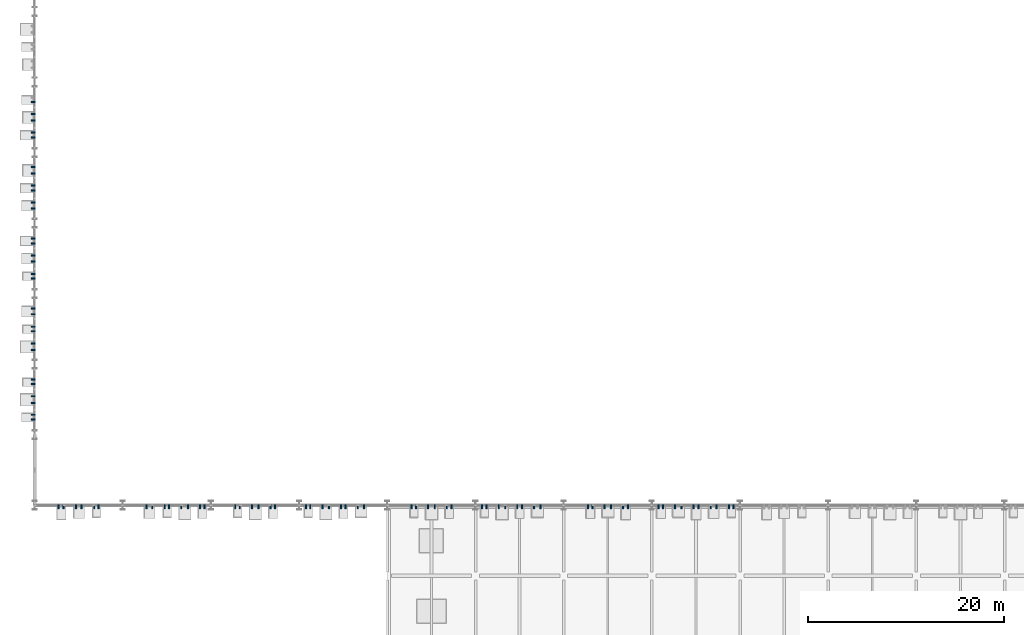
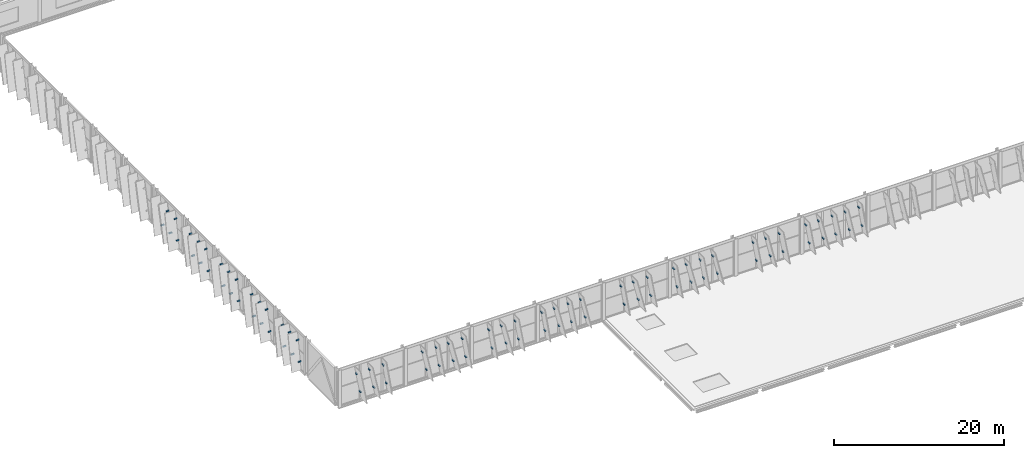
# One storey, part 147 of 189: 87 discrete accessories.
"""IFC4 building model written with IfcOpenShell, lengths in metres."""

from ifc_helpers import new_model, si_unit, direction, frame, origin, origin_2d, place, context, subcontext, project, spatial, rectangle, extrude, material, type_object, element, save


model = new_model("IFC4")

# Units and contexts
model_context = context("Model", 3, precision=1e-05, world=origin(), true_north=direction((0.0, 1.0)))
body_context = subcontext(model_context, "Body", "Model", "MODEL_VIEW")
ifc_project = project(units=[si_unit("LENGTHUNIT", "METRE"), si_unit("AREAUNIT", "SQUARE_METRE"), si_unit("VOLUMEUNIT", "CUBIC_METRE"), si_unit("PLANEANGLEUNIT", "RADIAN"), si_unit("MASSUNIT", "GRAM", prefix="KILO")], contexts=[model_context])

# Site, building, storey
site_placement = place(None, origin())
site = spatial("IfcSite", under=ifc_project, at=site_placement, CompositionType="ELEMENT")
building_placement = place(site_placement, origin())
building = spatial("IfcBuilding", under=site, at=building_placement, Name="Celestram Park Convention Centre", CompositionType="ELEMENT")
storey_placement = place(building_placement, frame((0.0, 0.0, 5.39990234375)))
storey = spatial("IfcBuildingStorey", under=building, at=storey_placement, Name="L01", CompositionType="ELEMENT", Elevation=5.39990234375)

# Discrete accessories
ifc_material = material(Name="Steel ASTM A500 Grade C", Category="steel")
discrete_accessory_type = type_object("IfcDiscreteAccessoryType", Name="ARC-BRK-OUT400", PredefinedType="BRACKET", material=ifc_material)
for number, where, z_axis, x_axis, name in (
    (1, (-0.14990234375, 30.357421875, 1.07568359375), (0.0, 0.0, 1.0), (-1.0, 0.0, 0.0), "Solar fin outrigger bracket BK-L01-0695"),
    (2, (-0.14990234375, 30.842529296875, 3.884765625), (0.0, 0.0, 1.0), (-1.0, 0.0, 0.0), "Solar fin outrigger bracket BK-L01-0696"),
    (3, (-0.14990234375, 32.06005859375, 1.09619140625), (0.0, 0.0, 1.0), (-1.0, 0.0, 0.0), "Solar fin outrigger bracket BK-L01-0697"),
    (4, (-0.14990234375, 32.739990234375, 3.8642578125), (0.0, 0.0, 1.0), (-1.0, 0.0, 0.0), "Solar fin outrigger bracket BK-L01-0698"),
    (5, (-0.14990234375, 33.97216796875, 1.0732421875), (0.0, 0.0, 1.0), (-1.0, 0.0, 0.0), "Solar fin outrigger bracket BK-L01-0699"),
    (6, (-0.14990234375, 34.427978515625, 3.88720703125), (0.0, 0.0, 1.0), (-1.0, 0.0, 0.0), "Solar fin outrigger bracket BK-L01-0700"),
    (7, (-0.14990234375, 37.4599609375, 1.09619140625), (0.0, 0.0, 1.0), (-1.0, 0.0, 0.0), "Solar fin outrigger bracket BK-L01-0701"),
    (8, (-0.14990234375, 38.139892578125, 3.8642578125), (0.0, 0.0, 1.0), (-1.0, 0.0, 0.0), "Solar fin outrigger bracket BK-L01-0702"),
    (9, (-0.14990234375, 39.3720703125, 1.0732421875), (0.0, 0.0, 1.0), (-1.0, 0.0, 0.0), "Solar fin outrigger bracket BK-L01-0703"),
    (10, (-0.14990234375, 39.827880859375, 3.88720703125), (0.0, 0.0, 1.0), (-1.0, 0.0, 0.0), "Solar fin outrigger bracket BK-L01-0704"),
    (11, (-0.14990234375, 41.101318359375, 1.08642578125), (0.0, 0.0, 1.0), (-1.0, 0.0, 0.0), "Solar fin outrigger bracket BK-L01-0705"),
    (12, (-0.14990234375, 41.69873046875, 3.87353515625), (0.0, 0.0, 1.0), (-1.0, 0.0, 0.0), "Solar fin outrigger bracket BK-L01-0706"),
    (13, (-0.14990234375, 44.772216796875, 1.0732421875), (0.0, 0.0, 1.0), (-1.0, 0.0, 0.0), "Solar fin outrigger bracket BK-L01-0707"),
    (14, (-0.14990234375, 45.227783203125, 3.88720703125), (0.0, 0.0, 1.0), (-1.0, 0.0, 0.0), "Solar fin outrigger bracket BK-L01-0708"),
    (15, (-0.14990234375, 46.501220703125, 1.08642578125), (0.0, 0.0, 1.0), (-1.0, 0.0, 0.0), "Solar fin outrigger bracket BK-L01-0709"),
    (16, (-0.14990234375, 47.0986328125, 3.87353515625), (0.0, 0.0, 1.0), (-1.0, 0.0, 0.0), "Solar fin outrigger bracket BK-L01-0710"),
    (17, (-0.14990234375, 48.3427734375, 1.078125), (0.0, 0.0, 1.0), (-1.0, 0.0, 0.0), "Solar fin outrigger bracket BK-L01-0711"),
    (18, (-0.14990234375, 48.857421875, 3.8818359375), (0.0, 0.0, 1.0), (-1.0, 0.0, 0.0), "Solar fin outrigger bracket BK-L01-0712"),
    (19, (-0.14990234375, 51.9013671875, 1.08642578125), (0.0, 0.0, 1.0), (-1.0, 0.0, 0.0), "Solar fin outrigger bracket BK-L01-0713"),
    (20, (-0.14990234375, 52.498779296875, 3.87353515625), (0.0, 0.0, 1.0), (-1.0, 0.0, 0.0), "Solar fin outrigger bracket BK-L01-0714"),
    (21, (-0.14990234375, 53.74267578125, 1.078125), (0.0, 0.0, 1.0), (-1.0, 0.0, 0.0), "Solar fin outrigger bracket BK-L01-0715"),
    (22, (-0.14990234375, 54.25732421875, 3.8818359375), (0.0, 0.0, 1.0), (-1.0, 0.0, 0.0), "Solar fin outrigger bracket BK-L01-0716"),
    (23, (-0.14990234375, 55.4697265625, 1.09375), (0.0, 0.0, 1.0), (-1.0, 0.0, 0.0), "Solar fin outrigger bracket BK-L01-0717"),
    (24, (-0.14990234375, 56.13037109375, 3.86669921875), (0.0, 0.0, 1.0), (-1.0, 0.0, 0.0), "Solar fin outrigger bracket BK-L01-0718"),
    (25, (-0.14990234375, 59.142578125, 1.078125), (0.0, 0.0, 1.0), (-1.0, 0.0, 0.0), "Solar fin outrigger bracket BK-L01-0719"),
    (26, (-0.14990234375, 59.6572265625, 3.8818359375), (0.0, 0.0, 1.0), (-1.0, 0.0, 0.0), "Solar fin outrigger bracket BK-L01-0720"),
    (27, (-0.14990234375, 60.86962890625, 1.09375), (0.0, 0.0, 1.0), (-1.0, 0.0, 0.0), "Solar fin outrigger bracket BK-L01-0721"),
    (28, (-0.14990234375, 61.5302734375, 3.86669921875), (0.0, 0.0, 1.0), (-1.0, 0.0, 0.0), "Solar fin outrigger bracket BK-L01-0722"),
    (29, (-0.14990234375, 62.75732421875, 1.07568359375), (0.0, 0.0, 1.0), (-1.0, 0.0, 0.0), "Solar fin outrigger bracket BK-L01-0723"),
    (30, (33.62548828125, 21.449951171875, 1.0771484375), (0.0, 0.0, 1.0), (0.0, -1.0, 0.0), "Solar fin outrigger bracket BK-L01-0755"),
    (31, (32.974365234375, 21.449951171875, 3.81005859375), (0.0, 0.0, 1.0), (0.0, -1.0, 0.0), "Solar fin outrigger bracket BK-L01-0756"),
    (32, (31.739013671875, 21.449951171875, 1.0595703125), (0.0, 0.0, 1.0), (0.0, -1.0, 0.0), "Solar fin outrigger bracket BK-L01-0757"),
    (33, (31.260986328125, 21.449951171875, 3.828125), (0.0, 0.0, 1.0), (0.0, -1.0, 0.0), "Solar fin outrigger bracket BK-L01-0758"),
    (34, (30.03515625, 21.449951171875, 1.07958984375), (0.0, 0.0, 1.0), (0.0, -1.0, 0.0), "Solar fin outrigger bracket BK-L01-0759"),
    (35, (29.364990234375, 21.449951171875, 3.8076171875), (0.0, 0.0, 1.0), (0.0, -1.0, 0.0), "Solar fin outrigger bracket BK-L01-0760"),
    (36, (28.12451171875, 21.449951171875, 1.05712890625), (0.0, 0.0, 1.0), (0.0, -1.0, 0.0), "Solar fin outrigger bracket BK-L01-0761"),
    (37, (27.67529296875, 21.449951171875, 3.83056640625), (0.0, 0.0, 1.0), (0.0, -1.0, 0.0), "Solar fin outrigger bracket BK-L01-0762"),
    (38, (24.5390625, 21.449951171875, 1.0595703125), (0.0, 0.0, 1.0), (0.0, -1.0, 0.0), "Solar fin outrigger bracket BK-L01-0763"),
    (39, (24.060791015625, 21.449951171875, 3.828125), (0.0, 0.0, 1.0), (0.0, -1.0, 0.0), "Solar fin outrigger bracket BK-L01-0764"),
    (40, (22.835205078125, 21.449951171875, 1.07958984375), (0.0, 0.0, 1.0), (0.0, -1.0, 0.0), "Solar fin outrigger bracket BK-L01-0765"),
    (41, (22.164794921875, 21.449951171875, 3.8076171875), (0.0, 0.0, 1.0), (0.0, -1.0, 0.0), "Solar fin outrigger bracket BK-L01-0766"),
    (42, (20.924560546875, 21.449951171875, 1.05712890625), (0.0, 0.0, 1.0), (0.0, -1.0, 0.0), "Solar fin outrigger bracket BK-L01-0767"),
    (43, (20.475341796875, 21.449951171875, 3.83056640625), (0.0, 0.0, 1.0), (0.0, -1.0, 0.0), "Solar fin outrigger bracket BK-L01-0768"),
    (44, (17.339111328125, 21.449951171875, 1.0595703125), (0.0, 0.0, 1.0), (0.0, -1.0, 0.0), "Solar fin outrigger bracket BK-L01-0769"),
    (45, (16.86083984375, 21.449951171875, 3.828125), (0.0, 0.0, 1.0), (0.0, -1.0, 0.0), "Solar fin outrigger bracket BK-L01-0770"),
    (46, (15.635009765625, 21.449951171875, 1.07958984375), (0.0, 0.0, 1.0), (0.0, -1.0, 0.0), "Solar fin outrigger bracket BK-L01-0771"),
    (47, (14.96484375, 21.449951171875, 3.8076171875), (0.0, 0.0, 1.0), (0.0, -1.0, 0.0), "Solar fin outrigger bracket BK-L01-0772"),
    (48, (13.724609375, 21.449951171875, 1.05712890625), (0.0, 0.0, 1.0), (0.0, -1.0, 0.0), "Solar fin outrigger bracket BK-L01-0773"),
    (49, (13.275390625, 21.449951171875, 3.83056640625), (0.0, 0.0, 1.0), (0.0, -1.0, 0.0), "Solar fin outrigger bracket BK-L01-0774"),
    (50, (11.994384765625, 21.449951171875, 1.06982421875), (0.0, 0.0, 1.0), (0.0, -1.0, 0.0), "Solar fin outrigger bracket BK-L01-0775"),
    (51, (11.405517578125, 21.449951171875, 3.8173828125), (0.0, 0.0, 1.0), (0.0, -1.0, 0.0), "Solar fin outrigger bracket BK-L01-0776"),
    (52, (6.524658203125, 21.449951171875, 1.05712890625), (0.0, 0.0, 1.0), (0.0, -1.0, 0.0), "Solar fin outrigger bracket BK-L01-0777"),
    (53, (6.075439453125, 21.449951171875, 3.83056640625), (0.0, 0.0, 1.0), (0.0, -1.0, 0.0), "Solar fin outrigger bracket BK-L01-0778"),
    (54, (4.79443359375, 21.449951171875, 1.06982421875), (0.0, 0.0, 1.0), (0.0, -1.0, 0.0), "Solar fin outrigger bracket BK-L01-0779"),
    (55, (4.20556640625, 21.449951171875, 3.8173828125), (0.0, 0.0, 1.0), (0.0, -1.0, 0.0), "Solar fin outrigger bracket BK-L01-0780"),
    (56, (2.95361328125, 21.449951171875, 1.06201171875), (0.0, 0.0, 1.0), (0.0, -1.0, 0.0), "Solar fin outrigger bracket BK-L01-0781"),
    (57, (2.4462890625, 21.449951171875, 3.8251953125), (0.0, 0.0, 1.0), (0.0, -1.0, 0.0), "Solar fin outrigger bracket BK-L01-0782"),
    (58, (71.32470703125, 21.449951171875, 1.05712890625), (0.0, 0.0, 1.0), (0.0, -1.0, 0.0), "Solar fin outrigger bracket BK-L01-0827"),
    (59, (70.87548828125, 21.449951171875, 3.83056640625), (0.0, 0.0, 1.0), (0.0, -1.0, 0.0), "Solar fin outrigger bracket BK-L01-0828"),
    (60, (69.594482421875, 21.449951171875, 1.06982421875), (0.0, 0.0, 1.0), (0.0, -1.0, 0.0), "Solar fin outrigger bracket BK-L01-0829"),
    (61, (69.005615234375, 21.449951171875, 3.8173828125), (0.0, 0.0, 1.0), (0.0, -1.0, 0.0), "Solar fin outrigger bracket BK-L01-0830"),
    (62, (67.753662109375, 21.449951171875, 1.06201171875), (0.0, 0.0, 1.0), (0.0, -1.0, 0.0), "Solar fin outrigger bracket BK-L01-0831"),
    (63, (67.246337890625, 21.449951171875, 3.8251953125), (0.0, 0.0, 1.0), (0.0, -1.0, 0.0), "Solar fin outrigger bracket BK-L01-0832"),
    (64, (66.025634765625, 21.449951171875, 1.0771484375), (0.0, 0.0, 1.0), (0.0, -1.0, 0.0), "Solar fin outrigger bracket BK-L01-0833"),
    (65, (65.37451171875, 21.449951171875, 3.81005859375), (0.0, 0.0, 1.0), (0.0, -1.0, 0.0), "Solar fin outrigger bracket BK-L01-0834"),
    (66, (64.13916015625, 21.449951171875, 1.0595703125), (0.0, 0.0, 1.0), (0.0, -1.0, 0.0), "Solar fin outrigger bracket BK-L01-0835"),
    (67, (63.660888671875, 21.449951171875, 3.828125), (0.0, 0.0, 1.0), (0.0, -1.0, 0.0), "Solar fin outrigger bracket BK-L01-0836"),
    (68, (60.5537109375, 21.449951171875, 1.06201171875), (0.0, 0.0, 1.0), (0.0, -1.0, 0.0), "Solar fin outrigger bracket BK-L01-0837"),
    (69, (60.04638671875, 21.449951171875, 3.8251953125), (0.0, 0.0, 1.0), (0.0, -1.0, 0.0), "Solar fin outrigger bracket BK-L01-0838"),
    (70, (58.82568359375, 21.449951171875, 1.0771484375), (0.0, 0.0, 1.0), (0.0, -1.0, 0.0), "Solar fin outrigger bracket BK-L01-0839"),
    (71, (58.17431640625, 21.449951171875, 3.81005859375), (0.0, 0.0, 1.0), (0.0, -1.0, 0.0), "Solar fin outrigger bracket BK-L01-0840"),
    (72, (56.939208984375, 21.449951171875, 1.0595703125), (0.0, 0.0, 1.0), (0.0, -1.0, 0.0), "Solar fin outrigger bracket BK-L01-0841"),
    (73, (56.4609375, 21.449951171875, 3.828125), (0.0, 0.0, 1.0), (0.0, -1.0, 0.0), "Solar fin outrigger bracket BK-L01-0842"),
    (74, (51.62548828125, 21.449951171875, 1.0771484375), (0.0, 0.0, 1.0), (0.0, -1.0, 0.0), "Solar fin outrigger bracket BK-L01-0843"),
    (75, (50.974365234375, 21.449951171875, 3.81005859375), (0.0, 0.0, 1.0), (0.0, -1.0, 0.0), "Solar fin outrigger bracket BK-L01-0844"),
    (76, (49.739013671875, 21.449951171875, 1.0595703125), (0.0, 0.0, 1.0), (0.0, -1.0, 0.0), "Solar fin outrigger bracket BK-L01-0845"),
    (77, (49.260986328125, 21.449951171875, 3.828125), (0.0, 0.0, 1.0), (0.0, -1.0, 0.0), "Solar fin outrigger bracket BK-L01-0846"),
    (78, (48.03515625, 21.449951171875, 1.07958984375), (0.0, 0.0, 1.0), (0.0, -1.0, 0.0), "Solar fin outrigger bracket BK-L01-0847"),
    (79, (47.364990234375, 21.449951171875, 3.8076171875), (0.0, 0.0, 1.0), (0.0, -1.0, 0.0), "Solar fin outrigger bracket BK-L01-0848"),
    (80, (46.12451171875, 21.449951171875, 1.05712890625), (0.0, 0.0, 1.0), (0.0, -1.0, 0.0), "Solar fin outrigger bracket BK-L01-0849"),
    (81, (45.67529296875, 21.449951171875, 3.83056640625), (0.0, 0.0, 1.0), (0.0, -1.0, 0.0), "Solar fin outrigger bracket BK-L01-0850"),
    (82, (42.5390625, 21.449951171875, 1.0595703125), (0.0, 0.0, 1.0), (0.0, -1.0, 0.0), "Solar fin outrigger bracket BK-L01-0851"),
    (83, (42.060791015625, 21.449951171875, 3.828125), (0.0, 0.0, 1.0), (0.0, -1.0, 0.0), "Solar fin outrigger bracket BK-L01-0852"),
    (84, (40.835205078125, 21.449951171875, 1.07958984375), (0.0, 0.0, 1.0), (0.0, -1.0, 0.0), "Solar fin outrigger bracket BK-L01-0853"),
    (85, (40.164794921875, 21.449951171875, 3.8076171875), (0.0, 0.0, 1.0), (0.0, -1.0, 0.0), "Solar fin outrigger bracket BK-L01-0854"),
    (86, (38.924560546875, 21.449951171875, 1.05712890625), (0.0, 0.0, 1.0), (0.0, -1.0, 0.0), "Solar fin outrigger bracket BK-L01-0855"),
    (87, (38.475341796875, 21.449951171875, 3.83056640625), (0.0, 0.0, 1.0), (0.0, -1.0, 0.0), "Solar fin outrigger bracket BK-L01-0856"),
):
    element("IfcDiscreteAccessory", number, at=place(storey_placement, frame(where, z_axis=z_axis, x_axis=x_axis)), inside=storey, type_object=discrete_accessory_type, Name=name, PredefinedType="BRACKET", context=body_context, shape_type="SweptSolid", body=[
        extrude(rectangle(XDim=0.39990234375, YDim=0.139892578125, at=origin_2d()), origin(), (0.0, 0.0, 1.0), 0.139892578125),
    ])

save(model, "model.ifc")
